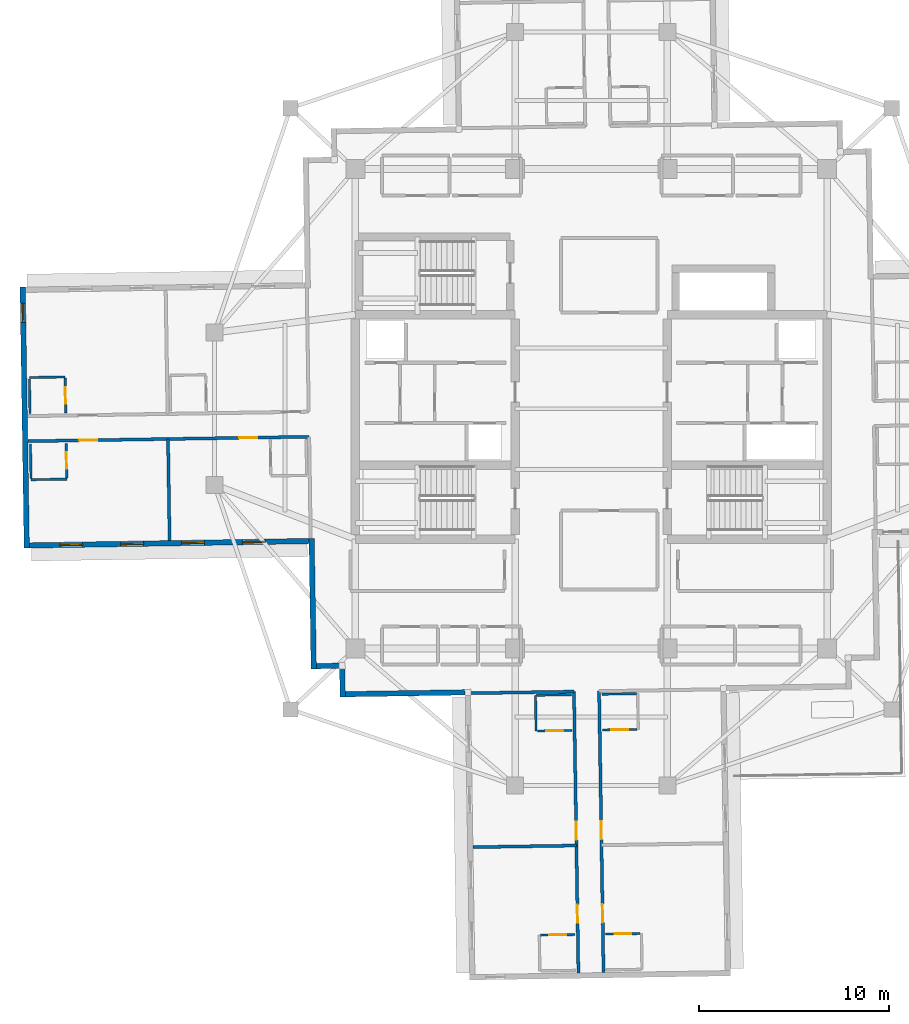
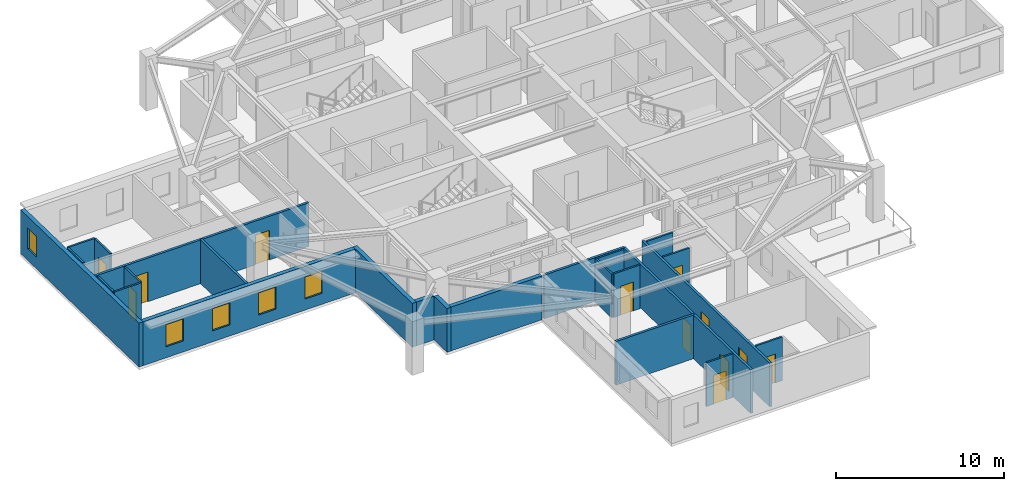
# One storey, part 3 of 13: 25 walls, 12 doors, 5 windows, 17 openings.
"""IFC4 building model written with IfcOpenShell, lengths in metres."""

from ifc_helpers import new_model, si_unit, direction, frame, frame_2d, origin, place, context, subcontext, project, spatial, rectangle, extrude, material, layer, layer_set, type_object, element, fill, save


model = new_model("IFC4")

# Units and contexts
model_context = context("Model", 3, precision=1e-05, world=origin(), true_north=direction((0.0, 1.0)))
body_context = subcontext(model_context, "Body", "Model", "MODEL_VIEW")
ifc_project = project(units=[si_unit("LENGTHUNIT", "METRE"), si_unit("AREAUNIT", "SQUARE_METRE"), si_unit("VOLUMEUNIT", "CUBIC_METRE"), si_unit("PLANEANGLEUNIT", "RADIAN"), si_unit("MASSUNIT", "GRAM", prefix="KILO")], contexts=[model_context])

# Site, building, storey
site_placement = place(None, origin())
site = spatial("IfcSite", under=ifc_project, at=site_placement, CompositionType="ELEMENT")
building_placement = place(site_placement, origin())
building = spatial("IfcBuilding", under=site, at=building_placement, Name="Qingluan Cross Belvedere", CompositionType="ELEMENT")
storey_placement = place(building_placement, frame((0.0, 0.0, 220.800048828125)))
storey = spatial("IfcBuildingStorey", under=building, at=storey_placement, Name="L55", CompositionType="ELEMENT", Elevation=220.800048828125)

# Wall, openings, doors
ifc_material_1 = material(Name="Gypsum plasterboard on steel stud acoustic partition", Category="steel")
ifc_layer_1 = layer(ifc_material_1, 0.159912109375, Name="CorridorPartition_160")
ifc_layer_set_1 = layer_set([ifc_layer_1], Name="Gypsum plasterboard on steel stud acoustic partition")
wall_type_1 = type_object("IfcWallType", Name="CorridorPartition_160", PredefinedType="PARTITIONING", material=ifc_layer_set_1)
wall_1_placement = place(storey_placement, frame((-14.82861328125, -1.47314453125, 0.0), z_axis=(0.0, 0.0, 1.0), x_axis=(-0.999876642421, -0.015706684621, 0.0)))
wall_1 = element("IfcWall", 1, at=wall_1_placement, inside=storey, type_object=wall_type_1, Name="Partition L55:W:c1", PredefinedType="PARTITIONING", context=body_context, shape_type="SweptSolid", body=[
    extrude(rectangle(XDim=14.781982421875, YDim=0.159912109375, at=frame_2d((7.39111328125, 0.0))), origin(), (0.0, 0.0, 1.0), 3.169921875),
])
opening_1_placement = place(wall_1_placement, frame((2.721923828125, 0.0, 0.0)))
opening_1 = element("IfcOpeningElement", 2, at=opening_1_placement, cuts=wall_1, Name="Opening GD-10", PredefinedType="OPENING", context=body_context, shape_type="SweptSolid", body=[
    extrude(rectangle(XDim=0.9599609375, YDim=2.14990234375, at=frame_2d((0.47998046875, 1.074951171875))), frame((0.0, 0.08984375, 0.0), z_axis=(0.0, -1.0, 0.0), x_axis=(1.0, 0.0, 0.0)), (0.0, 0.0, 1.0), 0.179931640625),
])
opening_2_placement = place(wall_1_placement, frame((11.131103515625, 0.0, 0.0)))
opening_2 = element("IfcOpeningElement", 3, at=opening_2_placement, cuts=wall_1, Name="Opening GD-10", PredefinedType="OPENING", context=body_context, shape_type="SweptSolid", body=[
    extrude(rectangle(XDim=0.9599609375, YDim=2.14990234375, at=frame_2d((0.47998046875, 1.074951171875))), frame((0.0, 0.08984375, 0.0), z_axis=(0.0, -1.0, 0.0), x_axis=(1.0, 0.0, 0.0)), (0.0, 0.0, 1.0), 0.179931640625),
])
ifc_material_2 = material(Name="Timber oak fire-rated acoustic guestroom door", Category="wood")
door_type_1 = type_object("IfcDoorType", Name="GuestEntryDoor_FD60", OperationType="NOTDEFINED", PredefinedType="DOOR", material=ifc_material_2)
door_1_placement = place(opening_1_placement, origin())
door_1 = element("IfcDoor", 4, at=door_1_placement, inside=storey, type_object=door_type_1, Name="Guest entry fire door 5507", OperationType="SINGLE_SWING_LEFT", OverallHeight=2.14990234375, OverallWidth=0.9599609375, PredefinedType="DOOR", context=body_context, shape_type="SweptSolid", body=[
    extrude(rectangle(XDim=0.9599609375, YDim=2.14990234375, at=frame_2d((0.47998046875, 1.074951171875))), frame((0.0, 0.02490234375, 0.0), z_axis=(0.0, -1.0, 0.0), x_axis=(1.0, 0.0, 0.0)), (0.0, 0.0, 1.0), 0.050048828125),
])
fill(opening_1, door_1)
door_2_placement = place(opening_2_placement, origin())
door_2 = element("IfcDoor", 5, at=door_2_placement, inside=storey, type_object=door_type_1, Name="Guest entry fire door 5508", OperationType="SINGLE_SWING_LEFT", OverallHeight=2.14990234375, OverallWidth=0.9599609375, PredefinedType="DOOR", context=body_context, shape_type="SweptSolid", body=[
    extrude(rectangle(XDim=0.9599609375, YDim=2.14990234375, at=frame_2d((0.47998046875, 1.074951171875))), frame((0.0, 0.02490234375, 0.0), z_axis=(0.0, -1.0, 0.0), x_axis=(1.0, 0.0, 0.0)), (0.0, 0.0, 1.0), 0.050048828125),
])
fill(opening_2, door_2)

# Wall
wall_2_placement = place(storey_placement, frame((-22.244873046875, -1.589599609375, 0.0), z_axis=(0.0, 0.0, 1.0), x_axis=(0.015751125361, -0.99987594333, 0.0)))
element("IfcWall", 6, at=wall_2_placement, inside=storey, type_object=wall_type_1, Name="Partition L55:W:d1_0", PredefinedType="PARTITIONING", context=body_context, shape_type="SweptSolid", body=[
    extrude(rectangle(XDim=5.33203125, YDim=0.159912109375, at=frame_2d((2.666015625, 0.0))), origin(), (0.0, 0.0, 1.0), 3.169921875),
])

# Wall, openings, doors
wall_3_placement = place(storey_placement, frame((0.4130859375, -14.84521484375, 0.0), z_axis=(0.0, 0.0, 1.0), x_axis=(0.015723196507, -0.999876382905, 0.0)))
wall_3 = element("IfcWall", 7, at=wall_3_placement, inside=storey, type_object=wall_type_1, Name="Partition L55:S:c0", PredefinedType="PARTITIONING", context=body_context, shape_type="SweptSolid", body=[
    extrude(rectangle(XDim=14.781982421875, YDim=0.159912109375, at=frame_2d((7.39111328125, 0.0))), origin(), (0.0, 0.0, 1.0), 3.169921875),
])
opening_3_placement = place(wall_3_placement, frame((6.83203125, 0.0, 0.0)))
opening_3 = element("IfcOpeningElement", 8, at=opening_3_placement, cuts=wall_3, Name="Opening GD-10", PredefinedType="OPENING", context=body_context, shape_type="SweptSolid", body=[
    extrude(rectangle(XDim=0.9599609375, YDim=2.14990234375, at=frame_2d((0.47998046875, 1.074951171875))), frame((0.0, 0.08984375, 0.0), z_axis=(0.0, -1.0, 0.0), x_axis=(1.0, 0.0, 0.0)), (0.0, 0.0, 1.0), 0.179931640625),
])
opening_4_placement = place(wall_3_placement, frame((11.197998046875, 0.0, 0.0)))
opening_4 = element("IfcOpeningElement", 9, at=opening_4_placement, cuts=wall_3, Name="Opening GD-10", PredefinedType="OPENING", context=body_context, shape_type="SweptSolid", body=[
    extrude(rectangle(XDim=0.9599609375, YDim=2.14990234375, at=frame_2d((0.47998046875, 1.074951171875))), frame((0.0, 0.08984375, 0.0), z_axis=(0.0, -1.0, 0.0), x_axis=(1.0, 0.0, 0.0)), (0.0, 0.0, 1.0), 0.179931640625),
])
door_3_placement = place(opening_3_placement, origin())
door_3 = element("IfcDoor", 10, at=door_3_placement, inside=storey, type_object=door_type_1, Name="Guest entry fire door 5515", OperationType="SINGLE_SWING_LEFT", OverallHeight=2.14990234375, OverallWidth=0.9599609375, PredefinedType="DOOR", context=body_context, shape_type="SweptSolid", body=[
    extrude(rectangle(XDim=0.9599609375, YDim=2.14990234375, at=frame_2d((0.47998046875, 1.074951171875))), frame((0.0, 0.02490234375, 0.0), z_axis=(0.0, -1.0, 0.0), x_axis=(1.0, 0.0, 0.0)), (0.0, 0.0, 1.0), 0.050048828125),
])
fill(opening_3, door_3)
door_4_placement = place(opening_4_placement, origin())
door_4 = element("IfcDoor", 11, at=door_4_placement, inside=storey, type_object=door_type_1, Name="Guest entry fire door 5516", OperationType="SINGLE_SWING_LEFT", OverallHeight=2.14990234375, OverallWidth=0.9599609375, PredefinedType="DOOR", context=body_context, shape_type="SweptSolid", body=[
    extrude(rectangle(XDim=0.9599609375, YDim=2.14990234375, at=frame_2d((0.47998046875, 1.074951171875))), frame((0.0, 0.02490234375, 0.0), z_axis=(0.0, -1.0, 0.0), x_axis=(1.0, 0.0, 0.0)), (0.0, 0.0, 1.0), 0.050048828125),
])
fill(opening_4, door_4)

wall_4_placement = place(storey_placement, frame((-0.906494140625, -14.8662109375, 0.0), z_axis=(0.0, 0.0, 1.0), x_axis=(0.015706944004, -0.999876638346, 0.0)))
wall_4 = element("IfcWall", 12, at=wall_4_placement, inside=storey, type_object=wall_type_1, Name="Partition L55:S:c1", PredefinedType="PARTITIONING", context=body_context, shape_type="SweptSolid", body=[
    extrude(rectangle(XDim=14.78173828125, YDim=0.159912109375, at=frame_2d((7.390869140625, 0.0))), origin(), (0.0, 0.0, 1.0), 3.169921875),
])
opening_5_placement = place(wall_4_placement, frame((6.83203125, 0.0, 0.0)))
opening_5 = element("IfcOpeningElement", 13, at=opening_5_placement, cuts=wall_4, Name="Opening GD-10", PredefinedType="OPENING", context=body_context, shape_type="SweptSolid", body=[
    extrude(rectangle(XDim=0.9599609375, YDim=2.14990234375, at=frame_2d((0.47998046875, 1.074951171875))), frame((0.0, 0.08984375, 0.0), z_axis=(0.0, -1.0, 0.0), x_axis=(1.0, 0.0, 0.0)), (0.0, 0.0, 1.0), 0.179931640625),
])
opening_6_placement = place(wall_4_placement, frame((11.197998046875, 0.0, 0.0)))
opening_6 = element("IfcOpeningElement", 14, at=opening_6_placement, cuts=wall_4, Name="Opening GD-10", PredefinedType="OPENING", context=body_context, shape_type="SweptSolid", body=[
    extrude(rectangle(XDim=0.9599609375, YDim=2.14990234375, at=frame_2d((0.47998046875, 1.074951171875))), frame((0.0, 0.08984375, 0.0), z_axis=(0.0, -1.0, 0.0), x_axis=(1.0, 0.0, 0.0)), (0.0, 0.0, 1.0), 0.179931640625),
])
door_5_placement = place(opening_5_placement, origin())
door_5 = element("IfcDoor", 15, at=door_5_placement, inside=storey, type_object=door_type_1, Name="Guest entry fire door 5517", OperationType="SINGLE_SWING_LEFT", OverallHeight=2.14990234375, OverallWidth=0.9599609375, PredefinedType="DOOR", context=body_context, shape_type="SweptSolid", body=[
    extrude(rectangle(XDim=0.9599609375, YDim=2.14990234375, at=frame_2d((0.47998046875, 1.074951171875))), frame((0.0, 0.02490234375, 0.0), z_axis=(0.0, -1.0, 0.0), x_axis=(1.0, 0.0, 0.0)), (0.0, 0.0, 1.0), 0.050048828125),
])
fill(opening_5, door_5)
door_6_placement = place(opening_6_placement, origin())
door_6 = element("IfcDoor", 16, at=door_6_placement, inside=storey, type_object=door_type_1, Name="Guest entry fire door 5518", OperationType="SINGLE_SWING_LEFT", OverallHeight=2.14990234375, OverallWidth=0.9599609375, PredefinedType="DOOR", context=body_context, shape_type="SweptSolid", body=[
    extrude(rectangle(XDim=0.9599609375, YDim=2.14990234375, at=frame_2d((0.47998046875, 1.074951171875))), frame((0.0, 0.02490234375, 0.0), z_axis=(0.0, -1.0, 0.0), x_axis=(1.0, 0.0, 0.0)), (0.0, 0.0, 1.0), 0.050048828125),
])
fill(opening_6, door_6)

# Walls
wall_5_placement = place(storey_placement, frame((-0.906494140625, -14.8662109375, 0.0), z_axis=(0.0, 0.0, 1.0), x_axis=(-0.99987732115, -0.015663417537, 0.0)))
element("IfcWall", 17, at=wall_5_placement, inside=storey, type_object=wall_type_1, Name="Partition L55:S:s1", PredefinedType="PARTITIONING", context=body_context, shape_type="SweptSolid", body=[
    extrude(rectangle(XDim=5.580078125, YDim=0.159912109375, at=frame_2d((2.7900390625, 0.0))), origin(), (0.0, 0.0, 1.0), 3.169921875),
])
wall_6_placement = place(storey_placement, frame((-0.779541015625, -22.95703125, 0.0), z_axis=(0.0, 0.0, 1.0), x_axis=(-0.999876256724, -0.015731218639, 0.0)))
element("IfcWall", 18, at=wall_6_placement, inside=storey, type_object=wall_type_1, Name="Partition L55:S:d1_0", PredefinedType="PARTITIONING", context=body_context, shape_type="SweptSolid", body=[
    extrude(rectangle(XDim=5.431884765625, YDim=0.159912109375, at=frame_2d((2.7158203125, 0.0))), origin(), (0.0, 0.0, 1.0), 3.169921875),
])

# Wall, opening, door
ifc_material_3 = material(Name="Moisture-resistant gypsum board lining")
ifc_layer_2 = layer(ifc_material_3, 0.1201171875, Name="EnsuiteWetPartition_120")
ifc_layer_set_2 = layer_set([ifc_layer_2], Name="Moisture-resistant gypsum board lining")
wall_type_2 = type_object("IfcWallType", Name="EnsuiteWetPartition_120", PredefinedType="PARTITIONING", material=ifc_layer_set_2)
wall_7_placement = place(storey_placement, frame((-27.6201171875, -0.2138671875, 0.0), z_axis=(0.0, 0.0, 1.0), x_axis=(-0.015694337248, 0.999876836305, 0.0)))
wall_7 = element("IfcWall", 19, at=wall_7_placement, inside=storey, type_object=wall_type_2, Name="Partition L55:W:bs0_1", PredefinedType="PARTITIONING", context=body_context, shape_type="SweptSolid", body=[
    extrude(rectangle(XDim=1.820068359375, YDim=0.1201171875, at=frame_2d((0.91015625, 0.0))), origin(), (0.0, 0.0, 1.0), 3.169921875),
])
opening_7_placement = place(wall_7_placement, frame((0.469970703125, 0.0, 0.0)))
opening_7 = element("IfcOpeningElement", 20, at=opening_7_placement, cuts=wall_7, Name="Opening BD-09", PredefinedType="OPENING", context=body_context, shape_type="SweptSolid", body=[
    extrude(rectangle(XDim=0.8798828125, YDim=2.10009765625, at=frame_2d((0.43994140625, 1.050048828125))), frame((0.0, 0.070068359375, 0.0), z_axis=(0.0, -1.0, 0.0), x_axis=(1.0, 0.0, 0.0)), (0.0, 0.0, 1.0), 0.14013671875),
])
ifc_material_4 = material(Name="Moisture-sealed timber en-suite door", Category="wood")
door_type_2 = type_object("IfcDoorType", Name="BathroomDoor_880", OperationType="NOTDEFINED", PredefinedType="DOOR", material=ifc_material_4)
door_7_placement = place(opening_7_placement, origin())
door_7 = element("IfcDoor", 21, at=door_7_placement, inside=storey, type_object=door_type_2, Name="Bathroom door 5506", OperationType="SINGLE_SWING_RIGHT", OverallHeight=2.10009765625, OverallWidth=0.8798828125, PredefinedType="DOOR", context=body_context, shape_type="SweptSolid", body=[
    extrude(rectangle(XDim=0.8798828125, YDim=2.10009765625, at=frame_2d((0.43994140625, 1.050048828125))), frame((0.0, 0.02490234375, 0.0), z_axis=(0.0, -1.0, 0.0), x_axis=(1.0, 0.0, 0.0)), (0.0, 0.0, 1.0), 0.050048828125),
])
fill(opening_7, door_7)

# Walls
wall_8_placement = place(storey_placement, frame((-29.499755859375, -0.243408203125, 0.0), z_axis=(0.0, 0.0, 1.0), x_axis=(-0.015694337248, 0.999876836305, 0.0)))
element("IfcWall", 22, at=wall_8_placement, inside=storey, type_object=wall_type_2, Name="Partition L55:W:bw0_1", PredefinedType="PARTITIONING", context=body_context, shape_type="SweptSolid", body=[
    extrude(rectangle(XDim=1.820068359375, YDim=0.1201171875, at=frame_2d((0.91015625, 0.0))), origin(), (0.0, 0.0, 1.0), 3.169921875),
])
wall_9_placement = place(storey_placement, frame((-27.649658203125, 1.6708984375, 0.0), z_axis=(0.0, 0.0, 1.0), x_axis=(-0.99987652141, -0.015714386166, 0.0)))
element("IfcWall", 23, at=wall_9_placement, inside=storey, type_object=wall_type_2, Name="Partition L55:W:bn0_1", PredefinedType="PARTITIONING", context=body_context, shape_type="SweptSolid", body=[
    extrude(rectangle(XDim=1.8798828125, YDim=0.1201171875, at=frame_2d((0.93994140625, 0.0))), origin(), (0.0, 0.0, 1.0), 3.169921875),
])

# Wall, opening, door
wall_10_placement = place(storey_placement, frame((-27.56640625, -3.63330078125, 0.0), z_axis=(0.0, 0.0, 1.0), x_axis=(-0.015696442504, 0.999876803258, 0.0)))
wall_10 = element("IfcWall", 24, at=wall_10_placement, inside=storey, type_object=wall_type_2, Name="Partition L55:W:bs1_1", PredefinedType="PARTITIONING", context=body_context, shape_type="SweptSolid", body=[
    extrude(rectangle(XDim=1.81982421875, YDim=0.1201171875, at=frame_2d((0.909912109375, 0.0))), origin(), (0.0, 0.0, 1.0), 3.169921875),
])
opening_8_placement = place(wall_10_placement, frame((0.469970703125, 0.0, 0.0)))
opening_8 = element("IfcOpeningElement", 25, at=opening_8_placement, cuts=wall_10, Name="Opening BD-09", PredefinedType="OPENING", context=body_context, shape_type="SweptSolid", body=[
    extrude(rectangle(XDim=0.8798828125, YDim=2.10009765625, at=frame_2d((0.43994140625, 1.050048828125))), frame((0.0, 0.070068359375, 0.0), z_axis=(0.0, -1.0, 0.0), x_axis=(1.0, 0.0, 0.0)), (0.0, 0.0, 1.0), 0.14013671875),
])
door_8_placement = place(opening_8_placement, origin())
door_8 = element("IfcDoor", 26, at=door_8_placement, inside=storey, type_object=door_type_2, Name="Bathroom door 5508", OperationType="SINGLE_SWING_RIGHT", OverallHeight=2.10009765625, OverallWidth=0.8798828125, PredefinedType="DOOR", context=body_context, shape_type="SweptSolid", body=[
    extrude(rectangle(XDim=0.8798828125, YDim=2.10009765625, at=frame_2d((0.43994140625, 1.050048828125))), frame((0.0, 0.02490234375, 0.0), z_axis=(0.0, -1.0, 0.0), x_axis=(1.0, 0.0, 0.0)), (0.0, 0.0, 1.0), 0.050048828125),
])
fill(opening_8, door_8)

# Walls
wall_11_placement = place(storey_placement, frame((-29.446044921875, -3.6630859375, 0.0), z_axis=(0.0, 0.0, 1.0), x_axis=(-0.015694337248, 0.999876836305, 0.0)))
element("IfcWall", 27, at=wall_11_placement, inside=storey, type_object=wall_type_2, Name="Partition L55:W:bw1_1", PredefinedType="PARTITIONING", context=body_context, shape_type="SweptSolid", body=[
    extrude(rectangle(XDim=1.820068359375, YDim=0.1201171875, at=frame_2d((0.91015625, 0.0))), origin(), (0.0, 0.0, 1.0), 3.169921875),
])
wall_12_placement = place(storey_placement, frame((-27.565185546875, -3.698486328125, 0.0), z_axis=(0.0, 0.0, 1.0), x_axis=(-0.999876553475, -0.01571234584, 0.0)))
element("IfcWall", 28, at=wall_12_placement, inside=storey, type_object=wall_type_2, Name="Partition L55:W:bc1_1", PredefinedType="PARTITIONING", context=body_context, shape_type="SweptSolid", body=[
    extrude(rectangle(XDim=1.880126953125, YDim=0.1201171875, at=frame_2d((0.93994140625, 0.0))), origin(), (0.0, 0.0, 1.0), 3.169921875),
])

# Wall, opening, door
wall_13_placement = place(storey_placement, frame((0.585205078125, -16.8828125, 0.0), z_axis=(0.0, 0.0, 1.0), x_axis=(0.999876836305, 0.015694337248, 0.0)))
wall_13 = element("IfcWall", 29, at=wall_13_placement, inside=storey, type_object=wall_type_2, Name="Partition L55:S:bs0_0", PredefinedType="PARTITIONING", context=body_context, shape_type="SweptSolid", body=[
    extrude(rectangle(XDim=1.820068359375, YDim=0.1201171875, at=frame_2d((0.91015625, 0.0))), origin(), (0.0, 0.0, 1.0), 3.169921875),
])
opening_9_placement = place(wall_13_placement, frame((0.469970703125, 0.0, 0.0)))
opening_9 = element("IfcOpeningElement", 30, at=opening_9_placement, cuts=wall_13, Name="Opening BD-09", PredefinedType="OPENING", context=body_context, shape_type="SweptSolid", body=[
    extrude(rectangle(XDim=0.8798828125, YDim=2.10009765625, at=frame_2d((0.43994140625, 1.050048828125))), frame((0.0, 0.070068359375, 0.0), z_axis=(0.0, -1.0, 0.0), x_axis=(1.0, 0.0, 0.0)), (0.0, 0.0, 1.0), 0.14013671875),
])
door_9_placement = place(opening_9_placement, origin())
door_9 = element("IfcDoor", 31, at=door_9_placement, inside=storey, type_object=door_type_2, Name="Bathroom door 5515", OperationType="SINGLE_SWING_RIGHT", OverallHeight=2.10009765625, OverallWidth=0.8798828125, PredefinedType="DOOR", context=body_context, shape_type="SweptSolid", body=[
    extrude(rectangle(XDim=0.8798828125, YDim=2.10009765625, at=frame_2d((0.43994140625, 1.050048828125))), frame((0.0, 0.02490234375, 0.0), z_axis=(0.0, -1.0, 0.0), x_axis=(1.0, 0.0, 0.0)), (0.0, 0.0, 1.0), 0.050048828125),
])
fill(opening_9, door_9)

# Wall
wall_14_placement = place(storey_placement, frame((0.5556640625, -15.003173828125, 0.0), z_axis=(0.0, 0.0, 1.0), x_axis=(0.999876836305, 0.015694337248, 0.0)))
element("IfcWall", 32, at=wall_14_placement, inside=storey, type_object=wall_type_2, Name="Partition L55:S:bw0_0", PredefinedType="PARTITIONING", context=body_context, shape_type="SweptSolid", body=[
    extrude(rectangle(XDim=1.820068359375, YDim=0.1201171875, at=frame_2d((0.91015625, 0.0))), origin(), (0.0, 0.0, 1.0), 3.169921875),
])

# Wall, opening, door
wall_15_placement = place(storey_placement, frame((0.75390625, -27.611572265625, 0.0), z_axis=(0.0, 0.0, 1.0), x_axis=(0.999876803258, 0.015696442504, 0.0)))
wall_15 = element("IfcWall", 33, at=wall_15_placement, inside=storey, type_object=wall_type_2, Name="Partition L55:S:bs0_1", PredefinedType="PARTITIONING", context=body_context, shape_type="SweptSolid", body=[
    extrude(rectangle(XDim=1.81982421875, YDim=0.1201171875, at=frame_2d((0.909912109375, 0.0))), origin(), (0.0, 0.0, 1.0), 3.169921875),
])
opening_10_placement = place(wall_15_placement, frame((0.469970703125, 0.0, 0.0)))
opening_10 = element("IfcOpeningElement", 34, at=opening_10_placement, cuts=wall_15, Name="Opening BD-09", PredefinedType="OPENING", context=body_context, shape_type="SweptSolid", body=[
    extrude(rectangle(XDim=0.8798828125, YDim=2.10009765625, at=frame_2d((0.43994140625, 1.050048828125))), frame((0.0, 0.070068359375, 0.0), z_axis=(0.0, -1.0, 0.0), x_axis=(1.0, 0.0, 0.0)), (0.0, 0.0, 1.0), 0.14013671875),
])
door_10_placement = place(opening_10_placement, origin())
door_10 = element("IfcDoor", 35, at=door_10_placement, inside=storey, type_object=door_type_2, Name="Bathroom door 5516", OperationType="SINGLE_SWING_RIGHT", OverallHeight=2.10009765625, OverallWidth=0.8798828125, PredefinedType="DOOR", context=body_context, shape_type="SweptSolid", body=[
    extrude(rectangle(XDim=0.8798828125, YDim=2.10009765625, at=frame_2d((0.43994140625, 1.050048828125))), frame((0.0, 0.02490234375, 0.0), z_axis=(0.0, -1.0, 0.0), x_axis=(1.0, 0.0, 0.0)), (0.0, 0.0, 1.0), 0.050048828125),
])
fill(opening_10, door_10)

wall_16_placement = place(storey_placement, frame((-2.834228515625, -16.9365234375, 0.0), z_axis=(0.0, 0.0, 1.0), x_axis=(0.999876836305, 0.015694337248, 0.0)))
wall_16 = element("IfcWall", 36, at=wall_16_placement, inside=storey, type_object=wall_type_2, Name="Partition L55:S:bs1_0", PredefinedType="PARTITIONING", context=body_context, shape_type="SweptSolid", body=[
    extrude(rectangle(XDim=1.820068359375, YDim=0.1201171875, at=frame_2d((0.91015625, 0.0))), origin(), (0.0, 0.0, 1.0), 3.169921875),
])
opening_11_placement = place(wall_16_placement, frame((0.469970703125, 0.0, 0.0)))
opening_11 = element("IfcOpeningElement", 37, at=opening_11_placement, cuts=wall_16, Name="Opening BD-09", PredefinedType="OPENING", context=body_context, shape_type="SweptSolid", body=[
    extrude(rectangle(XDim=0.8798828125, YDim=2.10009765625, at=frame_2d((0.43994140625, 1.050048828125))), frame((0.0, 0.070068359375, 0.0), z_axis=(0.0, -1.0, 0.0), x_axis=(1.0, 0.0, 0.0)), (0.0, 0.0, 1.0), 0.14013671875),
])
door_11_placement = place(opening_11_placement, origin())
door_11 = element("IfcDoor", 38, at=door_11_placement, inside=storey, type_object=door_type_2, Name="Bathroom door 5517", OperationType="SINGLE_SWING_RIGHT", OverallHeight=2.10009765625, OverallWidth=0.8798828125, PredefinedType="DOOR", context=body_context, shape_type="SweptSolid", body=[
    extrude(rectangle(XDim=0.8798828125, YDim=2.10009765625, at=frame_2d((0.43994140625, 1.050048828125))), frame((0.0, 0.02490234375, 0.0), z_axis=(0.0, -1.0, 0.0), x_axis=(1.0, 0.0, 0.0)), (0.0, 0.0, 1.0), 0.050048828125),
])
fill(opening_11, door_11)

# Walls
wall_17_placement = place(storey_placement, frame((-2.864013671875, -15.056884765625, 0.0), z_axis=(0.0, 0.0, 1.0), x_axis=(0.999876836305, 0.015694337248, 0.0)))
element("IfcWall", 39, at=wall_17_placement, inside=storey, type_object=wall_type_2, Name="Partition L55:S:bw1_0", PredefinedType="PARTITIONING", context=body_context, shape_type="SweptSolid", body=[
    extrude(rectangle(XDim=1.820068359375, YDim=0.1201171875, at=frame_2d((0.91015625, 0.0))), origin(), (0.0, 0.0, 1.0), 3.169921875),
])
wall_18_placement = place(storey_placement, frame((-2.9287109375, -15.057861328125, 0.0), z_axis=(0.0, 0.0, 1.0), x_axis=(0.01558454688, -0.999878553575, 0.0)))
element("IfcWall", 40, at=wall_18_placement, inside=storey, type_object=wall_type_2, Name="Partition L55:S:bc1_0", PredefinedType="PARTITIONING", context=body_context, shape_type="SweptSolid", body=[
    extrude(rectangle(XDim=1.8798828125, YDim=0.1201171875, at=frame_2d((0.93994140625, 0.0))), origin(), (0.0, 0.0, 1.0), 3.169921875),
])

# Wall, opening, door
wall_19_placement = place(storey_placement, frame((-2.665771484375, -27.665283203125, 0.0), z_axis=(0.0, 0.0, 1.0), x_axis=(0.999876836305, 0.015694337248, 0.0)))
wall_19 = element("IfcWall", 41, at=wall_19_placement, inside=storey, type_object=wall_type_2, Name="Partition L55:S:bs1_1", PredefinedType="PARTITIONING", context=body_context, shape_type="SweptSolid", body=[
    extrude(rectangle(XDim=1.820068359375, YDim=0.1201171875, at=frame_2d((0.91015625, 0.0))), origin(), (0.0, 0.0, 1.0), 3.169921875),
])
opening_12_placement = place(wall_19_placement, frame((0.469970703125, 0.0, 0.0)))
opening_12 = element("IfcOpeningElement", 42, at=opening_12_placement, cuts=wall_19, Name="Opening BD-09", PredefinedType="OPENING", context=body_context, shape_type="SweptSolid", body=[
    extrude(rectangle(XDim=0.8798828125, YDim=2.10009765625, at=frame_2d((0.43994140625, 1.050048828125))), frame((0.0, 0.070068359375, 0.0), z_axis=(0.0, -1.0, 0.0), x_axis=(1.0, 0.0, 0.0)), (0.0, 0.0, 1.0), 0.14013671875),
])
door_12_placement = place(opening_12_placement, origin())
door_12 = element("IfcDoor", 43, at=door_12_placement, inside=storey, type_object=door_type_2, Name="Bathroom door 5518", OperationType="SINGLE_SWING_RIGHT", OverallHeight=2.10009765625, OverallWidth=0.8798828125, PredefinedType="DOOR", context=body_context, shape_type="SweptSolid", body=[
    extrude(rectangle(XDim=0.8798828125, YDim=2.10009765625, at=frame_2d((0.43994140625, 1.050048828125))), frame((0.0, 0.02490234375, 0.0), z_axis=(0.0, -1.0, 0.0), x_axis=(1.0, 0.0, 0.0)), (0.0, 0.0, 1.0), 0.050048828125),
])
fill(opening_12, door_12)

# Wall, openings, windows
ifc_material_5 = material(Name="Precast concrete C45", Category="concrete")
ifc_layer_3 = layer(ifc_material_5, 0.280029296875, Name="PrecastFacadeWall_280")
ifc_layer_set_3 = layer_set([ifc_layer_3], Name="Precast concrete C45")
wall_type_3 = type_object("IfcWallType", Name="PrecastFacadeWall_280", PredefinedType="STANDARD", material=ifc_layer_set_3)
wall_20_placement = place(storey_placement, frame((-29.53076171875, -7.184814453125, 0.0), z_axis=(0.0, 0.0, 1.0), x_axis=(0.999876569875, 0.015711302158, 0.0)))
wall_20 = element("IfcWall", 44, at=wall_20_placement, inside=storey, type_object=wall_type_3, Name="Facade wall L55-WB", PredefinedType="STANDARD", context=body_context, shape_type="SweptSolid", body=[
    extrude(rectangle(XDim=14.699951171875, YDim=0.280029296875, at=frame_2d((7.35009765625, 0.0))), origin(), (0.0, 0.0, 1.0), 3.179931640625),
])
opening_13_placement = place(wall_20_placement, frame((1.60009765625, 0.0, 0.800048828125)))
opening_13 = element("IfcOpeningElement", 45, at=opening_13_placement, cuts=wall_20, Name="Opening W-02", PredefinedType="OPENING", context=body_context, shape_type="SweptSolid", body=[
    extrude(rectangle(XDim=1.199951171875, YDim=1.60009765625, at=frame_2d((0.60009765625, 0.800048828125))), frame((0.0, 0.14990234375, 0.0), z_axis=(0.0, -1.0, 0.0), x_axis=(1.0, 0.0, 0.0)), (0.0, 0.0, 1.0), 0.300048828125),
])
opening_14_placement = place(wall_20_placement, frame((4.800048828125, 0.0, 0.800048828125)))
opening_14 = element("IfcOpeningElement", 46, at=opening_14_placement, cuts=wall_20, Name="Opening W-02", PredefinedType="OPENING", context=body_context, shape_type="SweptSolid", body=[
    extrude(rectangle(XDim=1.199951171875, YDim=1.60009765625, at=frame_2d((0.60009765625, 0.800048828125))), frame((0.0, 0.14990234375, 0.0), z_axis=(0.0, -1.0, 0.0), x_axis=(1.0, 0.0, 0.0)), (0.0, 0.0, 1.0), 0.300048828125),
])
opening_15_placement = place(wall_20_placement, frame((8.0, 0.0, 0.800048828125)))
opening_15 = element("IfcOpeningElement", 47, at=opening_15_placement, cuts=wall_20, Name="Opening W-02", PredefinedType="OPENING", context=body_context, shape_type="SweptSolid", body=[
    extrude(rectangle(XDim=1.199951171875, YDim=1.60009765625, at=frame_2d((0.60009765625, 0.800048828125))), frame((0.0, 0.14990234375, 0.0), z_axis=(0.0, -1.0, 0.0), x_axis=(1.0, 0.0, 0.0)), (0.0, 0.0, 1.0), 0.300048828125),
])
opening_16_placement = place(wall_20_placement, frame((11.199951171875, 0.0, 0.800048828125)))
opening_16 = element("IfcOpeningElement", 48, at=opening_16_placement, cuts=wall_20, Name="Opening W-02", PredefinedType="OPENING", context=body_context, shape_type="SweptSolid", body=[
    extrude(rectangle(XDim=1.199951171875, YDim=1.60009765625, at=frame_2d((0.60009765625, 0.800048828125))), frame((0.0, 0.14990234375, 0.0), z_axis=(0.0, -1.0, 0.0), x_axis=(1.0, 0.0, 0.0)), (0.0, 0.0, 1.0), 0.300048828125),
])
ifc_material_6 = material(Name="Thermally broken triple Low-E glass in aluminium frame", Category="aluminium")
window_type_1 = type_object("IfcWindowType", Name="TriRibbonWin_1200x1600", PartitioningType="SINGLE_PANEL", PredefinedType="WINDOW", material=ifc_material_6)
window_1_placement = place(opening_13_placement, origin())
window_1 = element("IfcWindow", 49, at=window_1_placement, inside=storey, type_object=window_type_1, Name="Ribbon window L55-WB-1", OverallHeight=1.60009765625, OverallWidth=1.199951171875, PartitioningType="SINGLE_PANEL", PredefinedType="WINDOW", context=body_context, shape_type="SweptSolid", body=[
    extrude(rectangle(XDim=1.199951171875, YDim=1.60009765625, at=frame_2d((0.60009765625, 0.800048828125))), frame((0.0, 0.030029296875, 0.0), z_axis=(0.0, -1.0, 0.0), x_axis=(1.0, 0.0, 0.0)), (0.0, 0.0, 1.0), 0.06005859375),
])
fill(opening_13, window_1)
window_2_placement = place(opening_14_placement, origin())
window_2 = element("IfcWindow", 50, at=window_2_placement, inside=storey, type_object=window_type_1, Name="Ribbon window L55-WB-2", OverallHeight=1.60009765625, OverallWidth=1.199951171875, PartitioningType="SINGLE_PANEL", PredefinedType="WINDOW", context=body_context, shape_type="SweptSolid", body=[
    extrude(rectangle(XDim=1.199951171875, YDim=1.60009765625, at=frame_2d((0.60009765625, 0.800048828125))), frame((0.0, 0.030029296875, 0.0), z_axis=(0.0, -1.0, 0.0), x_axis=(1.0, 0.0, 0.0)), (0.0, 0.0, 1.0), 0.06005859375),
])
fill(opening_14, window_2)
window_3_placement = place(opening_15_placement, origin())
window_3 = element("IfcWindow", 51, at=window_3_placement, inside=storey, type_object=window_type_1, Name="Ribbon window L55-WB-3", OverallHeight=1.60009765625, OverallWidth=1.199951171875, PartitioningType="SINGLE_PANEL", PredefinedType="WINDOW", context=body_context, shape_type="SweptSolid", body=[
    extrude(rectangle(XDim=1.199951171875, YDim=1.60009765625, at=frame_2d((0.60009765625, 0.800048828125))), frame((0.0, 0.030029296875, 0.0), z_axis=(0.0, -1.0, 0.0), x_axis=(1.0, 0.0, 0.0)), (0.0, 0.0, 1.0), 0.06005859375),
])
fill(opening_15, window_3)
window_4_placement = place(opening_16_placement, origin())
window_4 = element("IfcWindow", 52, at=window_4_placement, inside=storey, type_object=window_type_1, Name="Ribbon window L55-WB-4", OverallHeight=1.60009765625, OverallWidth=1.199951171875, PartitioningType="SINGLE_PANEL", PredefinedType="WINDOW", context=body_context, shape_type="SweptSolid", body=[
    extrude(rectangle(XDim=1.199951171875, YDim=1.60009765625, at=frame_2d((0.60009765625, 0.800048828125))), frame((0.0, 0.030029296875, 0.0), z_axis=(0.0, -1.0, 0.0), x_axis=(1.0, 0.0, 0.0)), (0.0, 0.0, 1.0), 0.06005859375),
])
fill(opening_16, window_4)

# Wall, opening, window
wall_21_placement = place(storey_placement, frame((-29.884033203125, 6.391357421875, 0.0), z_axis=(0.0, 0.0, 1.0), x_axis=(0.015694809807, -0.999876828887, 0.0)))
wall_21 = element("IfcWall", 53, at=wall_21_placement, inside=storey, type_object=wall_type_3, Name="Arm tip precast facade wall L55-W", PredefinedType="STANDARD", context=body_context, shape_type="SweptSolid", body=[
    extrude(rectangle(XDim=13.719970703125, YDim=0.280029296875, at=frame_2d((6.85986328125, 0.0))), origin(), (0.0, 0.0, 1.0), 3.179931640625),
])
opening_17_placement = place(wall_21_placement, frame((0.85009765625, 0.0, 0.85009765625)))
opening_17 = element("IfcOpeningElement", 54, at=opening_17_placement, cuts=wall_21, Name="Opening W-03", PredefinedType="OPENING", context=body_context, shape_type="SweptSolid", body=[
    extrude(rectangle(XDim=1.0, YDim=1.5, at=frame_2d((0.5, 0.75))), frame((0.0, 0.14990234375, 0.0), z_axis=(0.0, -1.0, 0.0), x_axis=(1.0, 0.0, 0.0)), (0.0, 0.0, 1.0), 0.300048828125),
])
ifc_material_7 = material(Name="Thermally broken triple Low-E glass in aluminium frame", Category="aluminium")
window_type_2 = type_object("IfcWindowType", Name="TriApexWin_1000x1500", PartitioningType="SINGLE_PANEL", PredefinedType="WINDOW", material=ifc_material_7)
window_5_placement = place(opening_17_placement, origin())
window_5 = element("IfcWindow", 55, at=window_5_placement, inside=storey, type_object=window_type_2, Name="Arm tip triangular window L55-W", OverallHeight=1.5, OverallWidth=1.0, PartitioningType="SINGLE_PANEL", PredefinedType="WINDOW", context=body_context, shape_type="SweptSolid", body=[
    extrude(rectangle(XDim=1.0, YDim=1.5, at=frame_2d((0.5, 0.75))), frame((0.0, 0.030029296875, 0.0), z_axis=(0.0, -1.0, 0.0), x_axis=(1.0, 0.0, 0.0)), (0.0, 0.0, 1.0), 0.06005859375),
])
fill(opening_17, window_5)

# Walls
wall_22_placement = place(storey_placement, frame((-14.69482421875, -6.811767578125, 0.0), z_axis=(0.0, 0.0, 1.0), x_axis=(0.015694809807, -0.999876828887, 0.0)))
element("IfcWall", 56, at=wall_22_placement, inside=storey, type_object=wall_type_3, Name="Corner wall L55-SW1", PredefinedType="STANDARD", context=body_context, shape_type="SweptSolid", body=[
    extrude(rectangle(XDim=6.85986328125, YDim=0.280029296875, at=frame_2d((3.429931640625, 0.0))), origin(), (0.0, 0.0, 1.0), 3.179931640625),
])
wall_23_placement = place(storey_placement, frame((-14.44921875, -13.528564453125, 0.0), z_axis=(0.0, 0.0, 1.0), x_axis=(0.999878147354, 0.015610587569, 0.0)))
element("IfcWall", 57, at=wall_23_placement, inside=storey, type_object=wall_type_3, Name="Corner wall L55-SW2", PredefinedType="STANDARD", context=body_context, shape_type="SweptSolid", body=[
    extrude(rectangle(XDim=1.219970703125, YDim=0.280029296875, at=frame_2d((0.60986328125, 0.0))), origin(), (0.0, 0.0, 1.0), 3.179931640625),
])
wall_24_placement = place(storey_placement, frame((-13.08740234375, -13.647216796875, 0.0), z_axis=(0.0, 0.0, 1.0), x_axis=(0.015785793208, -0.999875396603, 0.0)))
element("IfcWall", 58, at=wall_24_placement, inside=storey, type_object=wall_type_3, Name="Corner wall L55-SW3", PredefinedType="STANDARD", context=body_context, shape_type="SweptSolid", body=[
    extrude(rectangle(XDim=1.500244140625, YDim=0.280029296875, at=frame_2d((0.75, 0.0))), origin(), (0.0, 0.0, 1.0), 3.179931640625),
])
wall_25_placement = place(storey_placement, frame((-12.92578125, -15.0048828125, 0.0), z_axis=(0.0, 0.0, 1.0), x_axis=(0.999876823822, 0.015695132501, 0.0)))
element("IfcWall", 59, at=wall_25_placement, inside=storey, type_object=wall_type_3, Name="Corner wall L55-SW4", PredefinedType="STANDARD", context=body_context, shape_type="SweptSolid", body=[
    extrude(rectangle(XDim=6.2998046875, YDim=0.280029296875, at=frame_2d((3.14990234375, 0.0))), origin(), (0.0, 0.0, 1.0), 3.179931640625),
])

save(model, "model.ifc")
